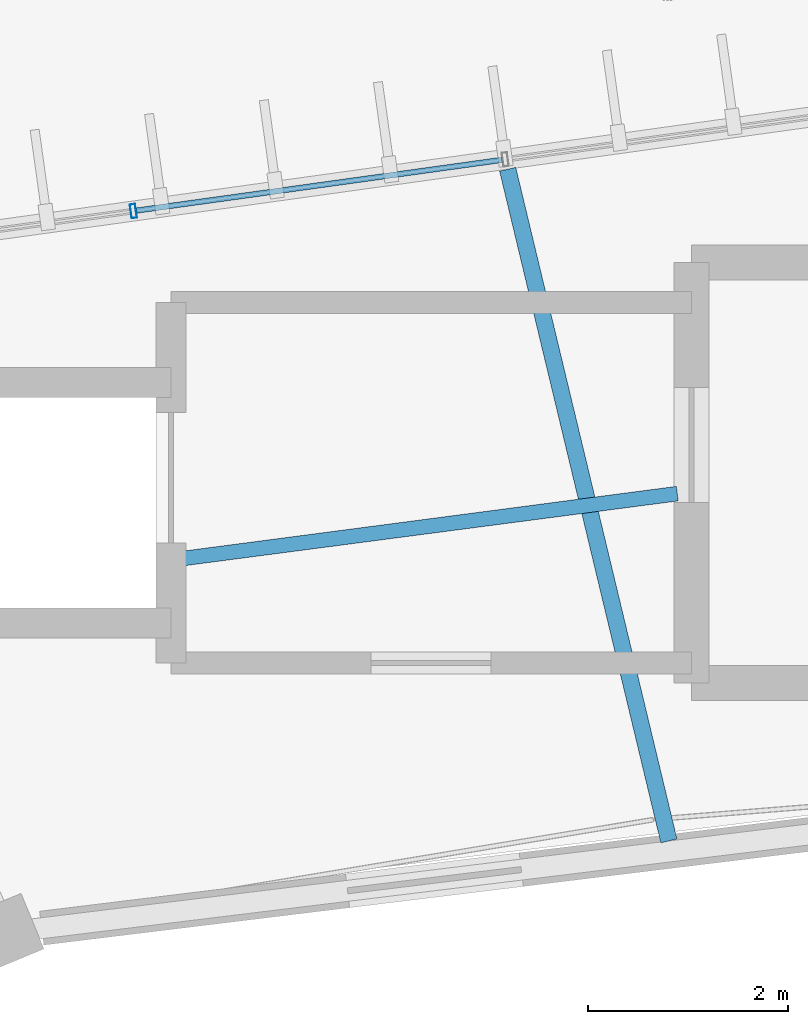
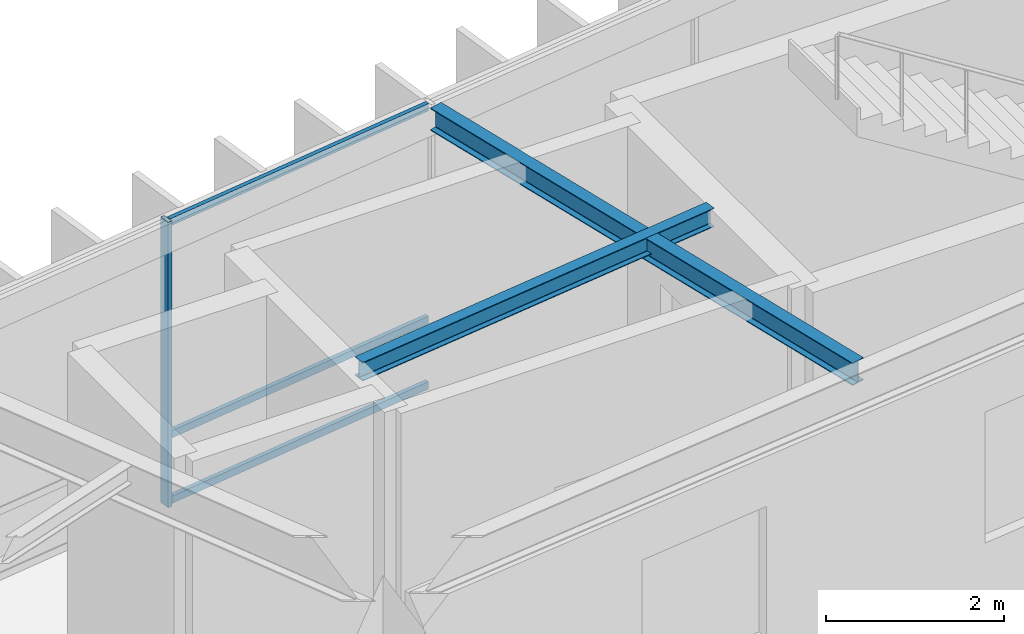
# One storey, part 60 of 114: 4 members, 2 beams, 1 element without a shape of its own.
"""IFC4 building model written with IfcOpenShell, lengths in metres."""

from ifc_helpers import new_model, si_unit, direction, frame, origin, origin_2d, place, context, subcontext, project, spatial, hollow_rectangle, i_section, extrude, material, material_profile, profile_set, type_object, element, aggregate, save


model = new_model("IFC4")

# Units and contexts
model_context = context("Model", 3, precision=1e-05, world=origin(), true_north=direction((0.0, 1.0)))
body_context = subcontext(model_context, "Body", "Model", "MODEL_VIEW")
ifc_project = project(units=[si_unit("LENGTHUNIT", "METRE"), si_unit("AREAUNIT", "SQUARE_METRE"), si_unit("VOLUMEUNIT", "CUBIC_METRE"), si_unit("PLANEANGLEUNIT", "RADIAN"), si_unit("MASSUNIT", "GRAM", prefix="KILO"), si_unit("THERMODYNAMICTEMPERATUREUNIT", "KELVIN"), si_unit("POWERUNIT", "WATT")], contexts=[model_context])

# Site, building, storey
site_placement = place(None, origin())
site = spatial("IfcSite", under=ifc_project, at=site_placement, CompositionType="ELEMENT")
building_placement = place(site_placement, origin())
building = spatial("IfcBuilding", under=site, at=building_placement, Name="Darbajah Civic Hall", CompositionType="ELEMENT")
storey_placement = place(building_placement, frame((0.0, 0.0, 13.800048828125)))
storey = spatial("IfcBuildingStorey", under=building, at=storey_placement, Name="L03", CompositionType="ELEMENT", Elevation=13.800048828125)

# Curtain wall, members
ifc_material_1 = material(Name="Anodised Bronze Aluminium and Low-E Glazing", Category="aluminium")
curtain_wall_type = type_object("IfcCurtainWallType", Name="Unitised Curtain Wall CW-42 15000x3900", PredefinedType="USERDEFINED", material=ifc_material_1)
curtain_wall_placement = place(storey_placement, origin())
curtain_wall = element("IfcCurtainWall", 1, at=curtain_wall_placement, inside=storey, type_object=curtain_wall_type, Name="L03 unitised curtain wall CW-V1O-L03-05", ObjectType="UNITISED CURTAIN WALL", PredefinedType="USERDEFINED")
ifc_material_2 = material(Name="Anodised Bronze Aluminium", Category="aluminium")
ifc_material_profile_1 = material_profile(ifc_material_2, hollow_rectangle(XDim=0.054931640625, YDim=0.139892578125, WallThickness=0.003173828125, at=origin_2d()), Name="ALU MULLION 55x140")
ifc_profile_set_1 = profile_set([ifc_material_profile_1], Name="Anodised Bronze Aluminium")
member_type_1 = type_object("IfcMemberType", Name="ALU MULLION 55x140", PredefinedType="MULLION", material=ifc_profile_set_1)
member_1_placement = place(storey_placement, frame((73.623779296875, 117.615478515625, 0.0), z_axis=(0.0, 0.0, 1.0), x_axis=(-0.990485459553, -0.137617420457, 0.0)))
member_1 = element("IfcMember", 2, at=member_1_placement, type_object=member_type_1, Name="CW-V1O-L03-05 mullion 4", PredefinedType="MULLION", context=body_context, shape_type="SweptSolid", body=[
    extrude(hollow_rectangle(XDim=0.054931640625, YDim=0.139892578125, WallThickness=0.003173828125, at=origin_2d()), origin(), (0.0, 0.0, 1.0), 3.919921875),
])
ifc_material_profile_2 = material_profile(ifc_material_2, hollow_rectangle(XDim=0.054931640625, YDim=0.10009765625, WallThickness=0.0029296875, at=origin_2d()), Name="ALU TRANSOM 55x100")
ifc_profile_set_2 = profile_set([ifc_material_profile_2], Name="Anodised Bronze Aluminium")
member_type_2 = type_object("IfcMemberType", Name="ALU TRANSOM 55x100", PredefinedType="USERDEFINED", material=ifc_profile_set_2)
member_2_placement = place(storey_placement, frame((77.30859375, 118.127197265625, 0.050048828125), z_axis=(-0.990500540811, -0.137508831179, 0.0), x_axis=(0.137508831179, -0.990500540811, 0.0)))
member_2 = element("IfcMember", 3, at=member_2_placement, type_object=member_type_2, Name="CW-V1O-L03-05 transom 3.1", ObjectType="TRANSOM", PredefinedType="USERDEFINED", context=body_context, shape_type="SweptSolid", body=[
    extrude(hollow_rectangle(XDim=0.054931640625, YDim=0.10009765625, WallThickness=0.0029296875, at=origin_2d()), origin(), (0.0, 0.0, 1.0), 3.6875),
])
member_3_placement = place(storey_placement, frame((77.30859375, 118.127197265625, 0.949951171875), z_axis=(-0.990500540811, -0.137508831179, 0.0), x_axis=(0.137508831179, -0.990500540811, 0.0)))
member_3 = element("IfcMember", 4, at=member_3_placement, type_object=member_type_2, Name="CW-V1O-L03-05 transom 3.2", ObjectType="TRANSOM", PredefinedType="USERDEFINED", context=body_context, shape_type="SweptSolid", body=[
    extrude(hollow_rectangle(XDim=0.054931640625, YDim=0.10009765625, WallThickness=0.0029296875, at=origin_2d()), origin(), (0.0, 0.0, 1.0), 3.6875),
])
member_4_placement = place(storey_placement, frame((77.30859375, 118.127197265625, 3.869873046875), z_axis=(-0.990500540811, -0.137508831179, 0.0), x_axis=(0.137508831179, -0.990500540811, 0.0)))
member_4 = element("IfcMember", 5, at=member_4_placement, type_object=member_type_2, Name="CW-V1O-L03-05 transom 3.3", ObjectType="TRANSOM", PredefinedType="USERDEFINED", context=body_context, shape_type="SweptSolid", body=[
    extrude(hollow_rectangle(XDim=0.054931640625, YDim=0.10009765625, WallThickness=0.0029296875, at=origin_2d()), origin(), (0.0, 0.0, 1.0), 3.6875),
])
aggregate(curtain_wall, [member_1, member_2, member_3, member_4])

# Beams
ifc_material_3 = material(Name="Steel S355JR", Category="steel")
ifc_material_profile_3 = material_profile(ifc_material_3, i_section(OverallWidth=0.146484375, OverallDepth=0.256103515625, WebThickness=0.00634765625, FlangeThickness=0.010986328125, FilletRadius=0.007568359375, at=origin_2d()), Name="UB 254x146x37")
ifc_profile_set_3 = profile_set([ifc_material_profile_3], Name="Steel S355JR")
beam_type_1 = type_object("IfcBeamType", Name="UB 254x146x37", PredefinedType="JOIST", material=ifc_profile_set_3)
beam_1_placement = place(storey_placement, frame((79.06005859375, 114.791015625, 3.7919921875), z_axis=(-0.991500932095, -0.130099583607, 0.0), x_axis=(0.130099583607, -0.991500932095, 0.0)))
element("IfcBeam", 6, at=beam_1_placement, inside=storey, type_object=beam_type_1, Name="L03 beam SJ-254", PredefinedType="JOIST", context=body_context, shape_type="SweptSolid", body=[
    extrude(i_section(OverallWidth=0.146484375, OverallDepth=0.256103515625, WebThickness=0.00634765625, FlangeThickness=0.010986328125, FilletRadius=0.007568359375, at=origin_2d()), origin(), (0.0, 0.0, 1.0), 4.982177734375),
])
ifc_material_profile_4 = material_profile(ifc_material_3, i_section(OverallWidth=0.165771484375, OverallDepth=0.306640625, WebThickness=0.006591796875, FlangeThickness=0.01171875, FilletRadius=0.0087890625, at=origin_2d()), Name="UB 305x165x46")
ifc_profile_set_4 = profile_set([ifc_material_profile_4], Name="Steel S355JR")
beam_type_2 = type_object("IfcBeamType", Name="UB 305x165x46", PredefinedType="JOIST", material=ifc_profile_set_4)
beam_2_placement = place(storey_placement, frame((78.976318359375, 111.320068359375, 3.7666015625), z_axis=(-0.233446518106, 0.972369643286, 0.0), x_axis=(-0.972369643286, -0.233446518106, 0.0)))
element("IfcBeam", 7, at=beam_2_placement, inside=storey, type_object=beam_type_2, Name="L03 beam SJ-305", PredefinedType="JOIST", context=body_context, shape_type="SweptSolid", body=[
    extrude(i_section(OverallWidth=0.165771484375, OverallDepth=0.306640625, WebThickness=0.006591796875, FlangeThickness=0.01171875, FilletRadius=0.0087890625, at=origin_2d()), origin(), (0.0, 0.0, 1.0), 6.9033203125),
])

save(model, "model.ifc")
